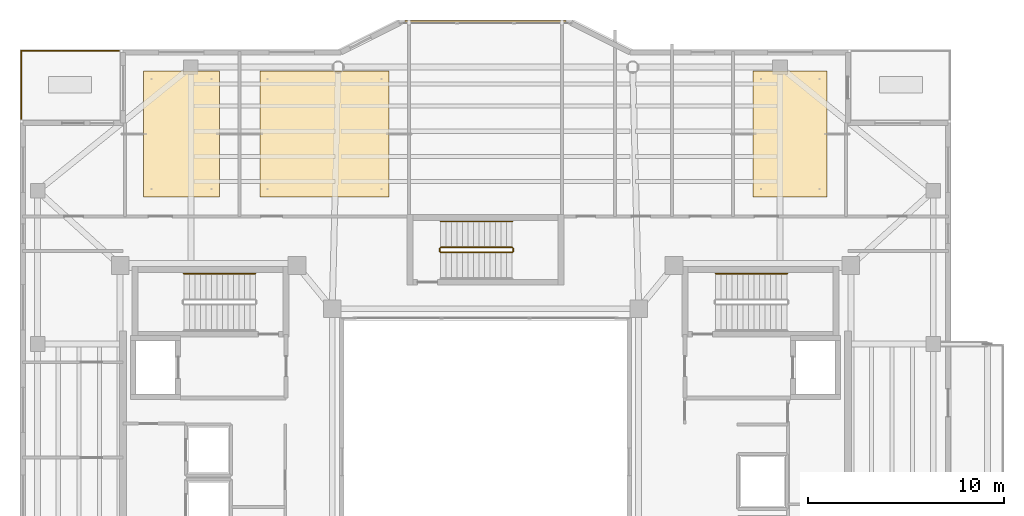
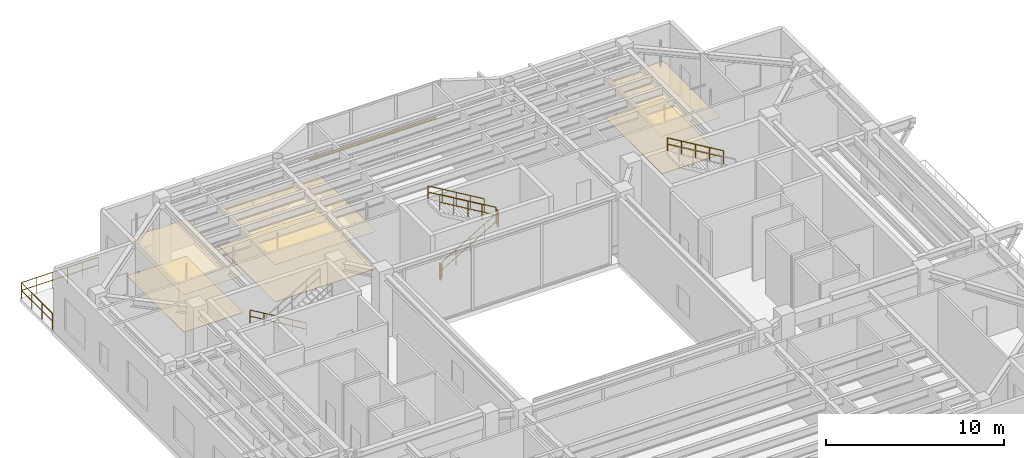
# One storey, part 22 of 23: 9 railings, 6 coverings, 1 shading device.
"""IFC4 building model written with IfcOpenShell, lengths in metres."""

from ifc_helpers import new_model, si_unit, direction, frame, origin, origin_2d, place, context, subcontext, project, spatial, polyline, rectangle, circle, outline, extrude, material, layer, layer_set, material_profile, profile_set, type_object, element, save


model = new_model("IFC4")

# Units and contexts
model_context = context("Model", 3, precision=1e-05, world=origin(), true_north=direction((0.0, 1.0)))
body_context = subcontext(model_context, "Body", "Model", "MODEL_VIEW")
ifc_project = project(units=[si_unit("LENGTHUNIT", "METRE"), si_unit("AREAUNIT", "SQUARE_METRE"), si_unit("VOLUMEUNIT", "CUBIC_METRE"), si_unit("PLANEANGLEUNIT", "RADIAN"), si_unit("MASSUNIT", "GRAM", prefix="KILO")], contexts=[model_context])

# Site, building, storey
site_placement = place(None, origin())
site = spatial("IfcSite", under=ifc_project, at=site_placement, CompositionType="ELEMENT")
building_placement = place(site_placement, origin())
building = spatial("IfcBuilding", under=site, at=building_placement, Name="Tarnavaz Court Tower", CompositionType="ELEMENT")
storey_placement = place(building_placement, frame((0.0, 0.0, 227.10009765625)))
storey = spatial("IfcBuildingStorey", under=building, at=storey_placement, Name="L62", CompositionType="ELEMENT", Elevation=227.10009765625)

# Coverings
ifc_material_1 = material(Name="Perforated Gypsum Acoustic Ceiling Tile", Category="masonry")
ifc_layer_1 = layer(ifc_material_1, 0.02490234375)
ifc_layer_set_1 = layer_set([ifc_layer_1], Name="Perforated Gypsum Acoustic Ceiling Tile")
covering_type_1 = type_object("IfcCoveringType", Name="CV-CEIL-AC", PredefinedType="CEILING", material=ifc_layer_set_1)
covering_1_placement = place(storey_placement, frame((0.0, 0.0, 2.5498046875)))
element("IfcCovering", 1, at=covering_1_placement, inside=storey, type_object=covering_type_1, Name="L62 Sky-Pool Residents Lounge Suspended Acoustic Ceiling", PredefinedType="CEILING", context=body_context, shape_type="SweptSolid", body=[
    extrude(outline(polyline([(-17.39990234375, 13.5), (-13.548095703125, 13.5), (-13.548095703125, 19.89990234375), (-17.39990234375, 19.89990234375), (-17.39990234375, 13.5)])), origin(), (0.0, 0.0, 1.0), 0.025146484375),
])
covering_2_placement = place(storey_placement, frame((0.0, 0.0, 2.5498046875)))
element("IfcCovering", 2, at=covering_2_placement, inside=storey, type_object=covering_type_1, Name="L62 Aquatic Fitness and Yoga Studio Suspended Acoustic Ceiling", PredefinedType="CEILING", context=body_context, shape_type="SweptSolid", body=[
    extrude(outline(polyline([(-11.488037109375, 13.5), (-4.89990234375, 13.5), (-4.89990234375, 19.89990234375), (-11.488037109375, 19.89990234375), (-11.488037109375, 13.5)])), origin(), (0.0, 0.0, 1.0), 0.025146484375),
])
covering_3_placement = place(storey_placement, frame((0.0, 0.0, 2.5498046875)))
element("IfcCovering", 3, at=covering_3_placement, inside=storey, type_object=covering_type_1, Name="L62 Poolside Changing and Shower Suite Suspended Acoustic Ceiling", PredefinedType="CEILING", context=body_context, shape_type="SweptSolid", body=[
    extrude(outline(polyline([(13.6279296875, 13.5), (17.39990234375, 13.5), (17.39990234375, 19.89990234375), (13.6279296875, 19.89990234375), (13.6279296875, 13.5)])), origin(), (0.0, 0.0, 1.0), 0.025146484375),
])
ifc_material_2 = material(Name="Glazed Khorasan Porcelain Floor Tile", Category="masonry")
ifc_layer_2 = layer(ifc_material_2, 0.02001953125)
ifc_layer_set_2 = layer_set([ifc_layer_2], Name="Glazed Khorasan Porcelain Floor Tile")
covering_type_2 = type_object("IfcCoveringType", Name="CV-FLR-PORC", PredefinedType="FLOORING", material=ifc_layer_set_2)
covering_4_placement = place(storey_placement, origin())
element("IfcCovering", 4, at=covering_4_placement, inside=storey, type_object=covering_type_2, Name="L62 Sky-Pool Residents Lounge Porcelain Floor Finish", PredefinedType="FLOORING", context=body_context, shape_type="SweptSolid", body=[
    extrude(outline(polyline([(-17.39990234375, 13.5), (-13.548095703125, 13.5), (-13.548095703125, 19.89990234375), (-17.39990234375, 19.89990234375), (-17.39990234375, 13.5)])), origin(), (0.0, 0.0, 1.0), 0.02001953125),
])
covering_5_placement = place(storey_placement, origin())
element("IfcCovering", 5, at=covering_5_placement, inside=storey, type_object=covering_type_2, Name="L62 Aquatic Fitness and Yoga Studio Porcelain Floor Finish", PredefinedType="FLOORING", context=body_context, shape_type="SweptSolid", body=[
    extrude(outline(polyline([(-11.488037109375, 13.5), (-4.89990234375, 13.5), (-4.89990234375, 19.89990234375), (-11.488037109375, 19.89990234375), (-11.488037109375, 13.5)])), origin(), (0.0, 0.0, 1.0), 0.02001953125),
])
covering_6_placement = place(storey_placement, origin())
element("IfcCovering", 6, at=covering_6_placement, inside=storey, type_object=covering_type_2, Name="L62 Poolside Changing and Shower Suite Porcelain Floor Finish", PredefinedType="FLOORING", context=body_context, shape_type="SweptSolid", body=[
    extrude(outline(polyline([(13.6279296875, 13.5), (17.39990234375, 13.5), (17.39990234375, 19.89990234375), (13.6279296875, 19.89990234375), (13.6279296875, 13.5)])), origin(), (0.0, 0.0, 1.0), 0.02001953125),
])

# Railings
ifc_material_3 = material(Name="Anodised Aluminium 6063-T6 and Laminated Safety Glass", Category="aluminium")
railing_type_1 = type_object("IfcRailingType", Name="RL-BAL-1120", PredefinedType="BALUSTRADE", material=ifc_material_3)
railing_1_placement = place(storey_placement, frame((-18.659912109375, 20.93994140625, 0.0)))
element("IfcRailing", 7, at=railing_1_placement, inside=storey, type_object=railing_type_1, Name="L62 Terrace 2 N Perimeter Balustrade", PredefinedType="BALUSTRADE", context=body_context, shape_type="SweptSolid", body=[
    extrude(circle(Radius=0.02392578125, at=origin_2d()), frame((0.0, 0.0, 1.09619140625), z_axis=(-1.0, 0.0, 0.0), x_axis=(0.0, -1.0, 0.0)), (0.0, 0.0, 1.0), 4.97998046875),
    extrude(circle(Radius=0.02392578125, at=origin_2d()), frame((0.0, 0.0, 0.56005859375), z_axis=(-1.0, 0.0, 0.0), x_axis=(0.0, -1.0, 0.0)), (0.0, 0.0, 1.0), 4.97998046875),
    extrude(circle(Radius=0.02099609375, at=origin_2d()), origin(), (0.0, 0.0, 1.0), 1.072021484375),
    extrude(circle(Radius=0.02099609375, at=origin_2d()), frame((-0.99609375, 0.0, 0.0)), (0.0, 0.0, 1.0), 1.072021484375),
    extrude(circle(Radius=0.02099609375, at=origin_2d()), frame((-1.991943359375, 0.0, 0.0)), (0.0, 0.0, 1.0), 1.072021484375),
    extrude(circle(Radius=0.02099609375, at=origin_2d()), frame((-2.988037109375, 0.0, 0.0)), (0.0, 0.0, 1.0), 1.072021484375),
    extrude(circle(Radius=0.02099609375, at=origin_2d()), frame((-3.98388671875, 0.0, 0.0)), (0.0, 0.0, 1.0), 1.072021484375),
    extrude(circle(Radius=0.02099609375, at=origin_2d()), frame((-4.97998046875, 0.0, 0.0)), (0.0, 0.0, 1.0), 1.072021484375),
])
railing_2_placement = place(storey_placement, frame((-23.639892578125, 20.93994140625, 0.0)))
element("IfcRailing", 8, at=railing_2_placement, inside=storey, type_object=railing_type_1, Name="L62 Terrace 2 W Perimeter Balustrade", PredefinedType="BALUSTRADE", context=body_context, shape_type="SweptSolid", body=[
    extrude(circle(Radius=0.02392578125, at=origin_2d()), frame((0.0, 0.0, 1.09619140625), z_axis=(0.0, -1.0, 0.0), x_axis=(1.0, 0.0, 0.0)), (0.0, 0.0, 1.0), 3.47998046875),
    extrude(circle(Radius=0.02392578125, at=origin_2d()), frame((0.0, 0.0, 0.56005859375), z_axis=(0.0, -1.0, 0.0), x_axis=(1.0, 0.0, 0.0)), (0.0, 0.0, 1.0), 3.47998046875),
    extrude(circle(Radius=0.02099609375, at=origin_2d()), origin(), (0.0, 0.0, 1.0), 1.072021484375),
    extrude(circle(Radius=0.02099609375, at=origin_2d()), frame((0.0, -1.159912109375, 0.0)), (0.0, 0.0, 1.0), 1.072021484375),
    extrude(circle(Radius=0.02099609375, at=origin_2d()), frame((0.0, -2.320068359375, 0.0)), (0.0, 0.0, 1.0), 1.072021484375),
    extrude(circle(Radius=0.02099609375, at=origin_2d()), frame((0.0, -3.47998046875, 0.0)), (0.0, 0.0, 1.0), 1.072021484375),
])
ifc_material_4 = material(Name="Brushed Stainless Steel", Category="steel")
railing_type_2 = type_object("IfcRailingType", Name="RL-HANDRAIL-900", PredefinedType="HANDRAIL", material=ifc_material_4)
for number, where, name in (
    (9, (-11.719970703125, 9.590087890625, 0.166015625), "L62 ST-W1 stair handrail 1"),
    (10, (15.360107421875, 9.590087890625, 2.490966796875), "L62 ST-E1 stair handrail 2"),
    (11, (1.360107421875, 12.239990234375, 2.490966796875), "L62 ST-N1 stair handrail 2"),
):
    element("IfcRailing", number, at=place(storey_placement, frame(where)), inside=storey, type_object=railing_type_2, Name=name, PredefinedType="HANDRAIL", context=body_context, shape_type="SweptSolid", body=[
        extrude(circle(Radius=0.02392578125, at=origin_2d()), frame((0.0, 0.0, 0.8759765625), z_axis=(-0.860103130531, 0.0, 0.510120186672), x_axis=(0.0, -1.0, 0.0)), (0.0, 0.0, 1.0), 4.232177734375),
        extrude(circle(Radius=0.02392578125, at=origin_2d()), frame((0.0, 0.0, 0.449951171875), z_axis=(-0.860103130531, 0.0, 0.510120186672), x_axis=(0.0, -1.0, 0.0)), (0.0, 0.0, 1.0), 4.232177734375),
        extrude(circle(Radius=0.02099609375, at=origin_2d()), origin(), (0.0, 0.0, 1.0), 0.851806640625),
        extrude(circle(Radius=0.02099609375, at=origin_2d()), frame((-0.91015625, 0.0, 0.539794921875)), (0.0, 0.0, 1.0), 0.851806640625),
        extrude(circle(Radius=0.02099609375, at=origin_2d()), frame((-1.820068359375, 0.0, 1.07958984375)), (0.0, 0.0, 1.0), 0.851806640625),
        extrude(circle(Radius=0.02099609375, at=origin_2d()), frame((-2.72998046875, 0.0, 1.619140625)), (0.0, 0.0, 1.0), 0.851806640625),
        extrude(circle(Radius=0.02099609375, at=origin_2d()), frame((-3.64013671875, 0.0, 2.158935546875)), (0.0, 0.0, 1.0), 0.851806640625),
    ])
ifc_material_5 = material(Name="Galvanized Painted Tubular Steel", Category="steel")
railing_type_3 = type_object("IfcRailingType", Name="RL-STGUARD-1120", PredefinedType="GUARDRAIL", material=ifc_material_5)
railing_3_placement = place(storey_placement, frame((-2.280029296875, 10.669921875, 0.166015625)))
element("IfcRailing", 12, at=railing_3_placement, inside=storey, type_object=railing_type_3, Name="L62 ST-N1 stair guard 1", PredefinedType="GUARDRAIL", context=body_context, shape_type="SweptSolid", body=[
    extrude(circle(Radius=0.02392578125, at=origin_2d()), frame((0.0, 0.0, 1.09619140625), z_axis=(0.860103130531, 0.0, 0.510120186672), x_axis=(0.0, 1.0, 0.0)), (0.0, 0.0, 1.0), 4.232177734375),
    extrude(circle(Radius=0.02392578125, at=origin_2d()), frame((0.0, 0.0, 0.56005859375), z_axis=(0.860103130531, 0.0, 0.510120186672), x_axis=(0.0, 1.0, 0.0)), (0.0, 0.0, 1.0), 4.232177734375),
    extrude(circle(Radius=0.02099609375, at=origin_2d()), origin(), (0.0, 0.0, 1.0), 1.072021484375),
    extrude(circle(Radius=0.02099609375, at=origin_2d()), frame((0.91015625, 0.0, 0.539794921875)), (0.0, 0.0, 1.0), 1.072021484375),
    extrude(circle(Radius=0.02099609375, at=origin_2d()), frame((1.820068359375, 0.0, 1.07958984375)), (0.0, 0.0, 1.0), 1.072021484375),
    extrude(circle(Radius=0.02099609375, at=origin_2d()), frame((2.72998046875, 0.0, 1.619140625)), (0.0, 0.0, 1.0), 1.072021484375),
    extrude(circle(Radius=0.02099609375, at=origin_2d()), frame((3.64013671875, 0.0, 2.158935546875)), (0.0, 0.0, 1.0), 1.072021484375),
])
railing_4_placement = place(storey_placement, frame((1.409912109375, 10.719970703125, 2.324951171875)))
element("IfcRailing", 13, at=railing_4_placement, inside=storey, type_object=railing_type_3, Name="L62 ST-N1 stair guard 2", PredefinedType="GUARDRAIL", context=body_context, shape_type="SweptSolid", body=[
    extrude(circle(Radius=0.02392578125, at=origin_2d()), frame((0.0, 0.0, 1.09619140625), z_axis=(0.0, 1.0, 0.0), x_axis=(-1.0, 0.0, 0.0)), (0.0, 0.0, 1.0), 0.150146484375),
    extrude(circle(Radius=0.02392578125, at=origin_2d()), frame((0.0, 0.0, 0.56005859375), z_axis=(0.0, 1.0, 0.0), x_axis=(-1.0, 0.0, 0.0)), (0.0, 0.0, 1.0), 0.150146484375),
    extrude(circle(Radius=0.02099609375, at=origin_2d()), origin(), (0.0, 0.0, 1.0), 1.072021484375),
    extrude(circle(Radius=0.02099609375, at=origin_2d()), frame((0.0, 0.150146484375, 0.0)), (0.0, 0.0, 1.0), 1.072021484375),
])
railing_5_placement = place(storey_placement, frame((1.360107421875, 10.919921875, 2.490966796875)))
element("IfcRailing", 14, at=railing_5_placement, inside=storey, type_object=railing_type_3, Name="L62 ST-N1 stair guard 3", PredefinedType="GUARDRAIL", context=body_context, shape_type="SweptSolid", body=[
    extrude(circle(Radius=0.02392578125, at=origin_2d()), frame((0.0, 0.0, 1.09619140625), z_axis=(-0.860103130531, 0.0, 0.510120186672), x_axis=(0.0, -1.0, 0.0)), (0.0, 0.0, 1.0), 4.232177734375),
    extrude(circle(Radius=0.02392578125, at=origin_2d()), frame((0.0, 0.0, 0.56005859375), z_axis=(-0.860103130531, 0.0, 0.510120186672), x_axis=(0.0, -1.0, 0.0)), (0.0, 0.0, 1.0), 4.232177734375),
    extrude(circle(Radius=0.02099609375, at=origin_2d()), origin(), (0.0, 0.0, 1.0), 1.072021484375),
    extrude(circle(Radius=0.02099609375, at=origin_2d()), frame((-0.91015625, 0.0, 0.539794921875)), (0.0, 0.0, 1.0), 1.072021484375),
    extrude(circle(Radius=0.02099609375, at=origin_2d()), frame((-1.820068359375, 0.0, 1.07958984375)), (0.0, 0.0, 1.0), 1.072021484375),
    extrude(circle(Radius=0.02099609375, at=origin_2d()), frame((-2.72998046875, 0.0, 1.619140625)), (0.0, 0.0, 1.0), 1.072021484375),
    extrude(circle(Radius=0.02099609375, at=origin_2d()), frame((-3.64013671875, 0.0, 2.158935546875)), (0.0, 0.0, 1.0), 1.072021484375),
])
railing_6_placement = place(storey_placement, frame((-2.330078125, 10.719970703125, 0.0)))
element("IfcRailing", 15, at=railing_6_placement, inside=storey, type_object=railing_type_3, Name="L62 ST-N1 stair guard 4", PredefinedType="GUARDRAIL", context=body_context, shape_type="SweptSolid", body=[
    extrude(circle(Radius=0.02392578125, at=origin_2d()), frame((0.0, 0.0, 1.09619140625), z_axis=(0.0, 1.0, 0.0), x_axis=(-1.0, 0.0, 0.0)), (0.0, 0.0, 1.0), 0.150146484375),
    extrude(circle(Radius=0.02392578125, at=origin_2d()), frame((0.0, 0.0, 0.56005859375), z_axis=(0.0, 1.0, 0.0), x_axis=(-1.0, 0.0, 0.0)), (0.0, 0.0, 1.0), 0.150146484375),
    extrude(circle(Radius=0.02099609375, at=origin_2d()), origin(), (0.0, 0.0, 1.0), 1.072021484375),
    extrude(circle(Radius=0.02099609375, at=origin_2d()), frame((0.0, 0.150146484375, 0.0)), (0.0, 0.0, 1.0), 1.072021484375),
])

# Shading device
ifc_material_6 = material(Name="Kiln-Fired Khorasan Terracotta Ceramic", Category="masonry")
ifc_material_profile = material_profile(ifc_material_6, rectangle(XDim=0.1201171875, YDim=0.06005859375, at=origin_2d()), Name="TC BAGUETTE 120X60")
ifc_profile_set = profile_set([ifc_material_profile], Name="Kiln-Fired Khorasan Terracotta Ceramic")
shading_device_type = type_object("IfcShadingDeviceType", Name="SD-BAG-120", PredefinedType="USERDEFINED", material=ifc_profile_set)
shading_device_placement = place(storey_placement, frame((-4.10009765625, 22.409912109375, 1.7998046875), z_axis=(1.0, 0.0, 0.0), x_axis=(0.0, 1.0, 0.0)))
element("IfcShadingDevice", 16, at=shading_device_placement, inside=storey, type_object=shading_device_type, Name="L62 Terracotta Baguette Screen PBG7", ObjectType="BAGUETTE", PredefinedType="USERDEFINED", context=body_context, shape_type="SweptSolid", body=[
    extrude(rectangle(XDim=0.1201171875, YDim=0.06005859375, at=origin_2d()), origin(), (0.0, 0.0, 1.0), 8.2001953125),
])

save(model, "model.ifc")
